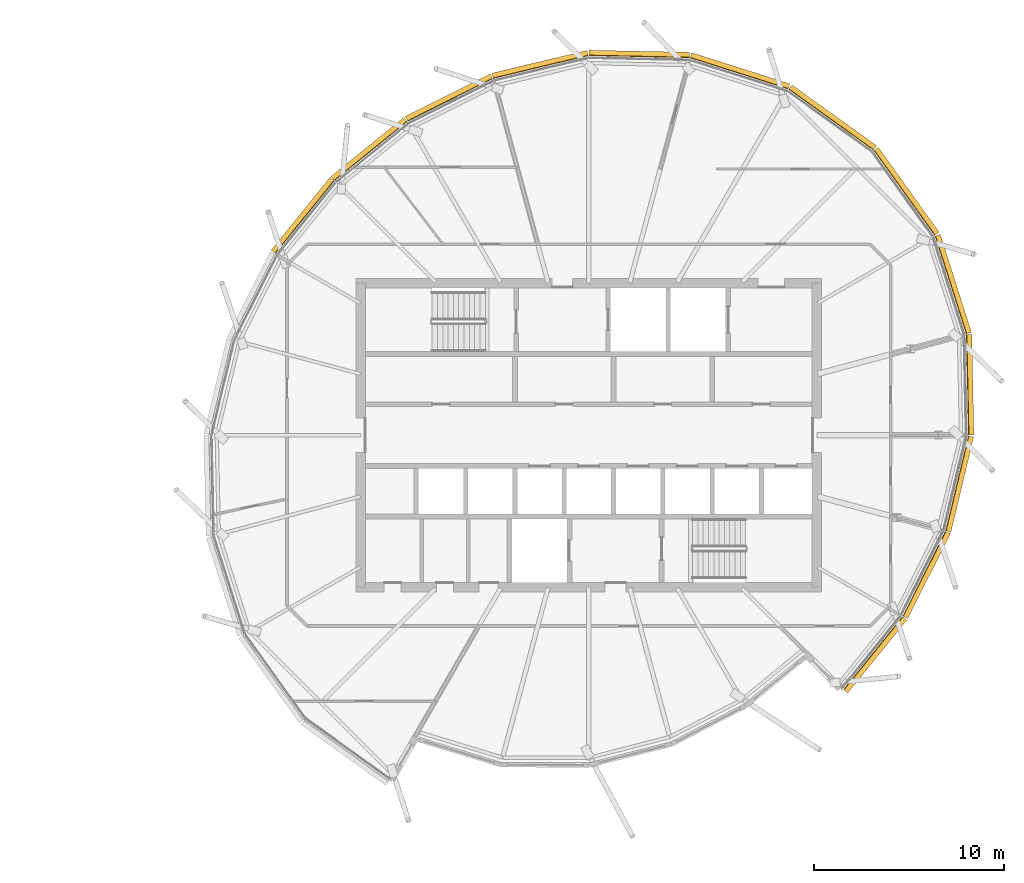
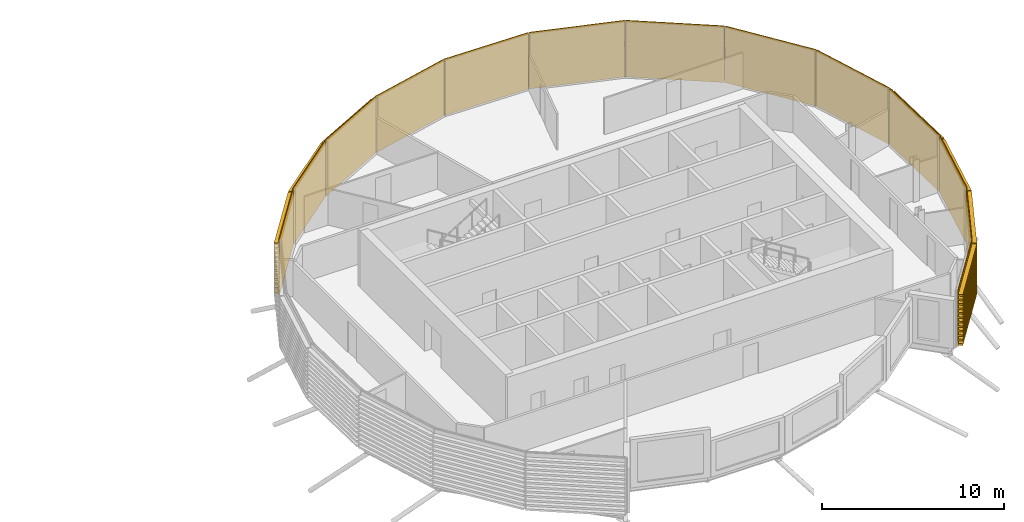
# One storey, part 38 of 38: 13 coverings.
"""IFC4 building model written with IfcOpenShell, lengths in metres."""

from ifc_helpers import new_model, si_unit, direction, frame, origin, place, context, subcontext, project, spatial, polyline, outline, extrude, material, material_profile, profile_set, type_object, element, save


model = new_model("IFC4")

# Units and contexts
model_context = context("Model", 3, precision=1e-05, world=origin(), true_north=direction((0.0, 1.0)))
body_context = subcontext(model_context, "Body", "Model", "MODEL_VIEW")
ifc_project = project(units=[si_unit("LENGTHUNIT", "METRE"), si_unit("AREAUNIT", "SQUARE_METRE"), si_unit("VOLUMEUNIT", "CUBIC_METRE"), si_unit("PLANEANGLEUNIT", "RADIAN"), si_unit("MASSUNIT", "GRAM", prefix="KILO")], contexts=[model_context])

# Site, building, storey
site_placement = place(None, origin())
site = spatial("IfcSite", under=ifc_project, at=site_placement, CompositionType="ELEMENT")
building_placement = place(site_placement, origin())
building = spatial("IfcBuilding", under=site, at=building_placement, Name="Rimbun Link Towers", CompositionType="ELEMENT")
storey_placement = place(building_placement, frame((0.0, 0.0, 218.10009765625)))
storey = spatial("IfcBuildingStorey", under=building, at=storey_placement, Name="L53", CompositionType="ELEMENT", Elevation=218.10009765625)

# Coverings
ifc_material = material(Name="Terracotta", Category="masonry")
ifc_material_profile = material_profile(ifc_material, outline(polyline([(0.123046875, 0.0), (0.1630859375, 0.0), (0.1630859375, 0.10009765625), (0.423095703125, 0.10009765625), (0.423095703125, 0.219970703125), (0.1630859375, 0.219970703125), (0.1630859375, 0.39990234375), (0.423095703125, 0.39990234375), (0.423095703125, 0.52001953125), (0.1630859375, 0.52001953125), (0.1630859375, 0.699951171875), (0.423095703125, 0.699951171875), (0.423095703125, 0.820068359375), (0.1630859375, 0.820068359375), (0.1630859375, 1.0), (0.423095703125, 1.0), (0.423095703125, 1.1201171875), (0.1630859375, 1.1201171875), (0.1630859375, 1.300048828125), (0.423095703125, 1.300048828125), (0.423095703125, 1.419921875), (0.1630859375, 1.419921875), (0.1630859375, 1.60009765625), (0.423095703125, 1.60009765625), (0.423095703125, 1.719970703125), (0.1630859375, 1.719970703125), (0.1630859375, 1.89990234375), (0.423095703125, 1.89990234375), (0.423095703125, 2.02001953125), (0.1630859375, 2.02001953125), (0.1630859375, 2.199951171875), (0.423095703125, 2.199951171875), (0.423095703125, 2.320068359375), (0.1630859375, 2.320068359375), (0.1630859375, 2.5), (0.423095703125, 2.5), (0.423095703125, 2.6201171875), (0.1630859375, 2.6201171875), (0.1630859375, 2.800048828125), (0.423095703125, 2.800048828125), (0.423095703125, 2.919921875), (0.1630859375, 2.919921875), (0.1630859375, 3.10009765625), (0.423095703125, 3.10009765625), (0.423095703125, 3.219970703125), (0.1630859375, 3.219970703125), (0.1630859375, 3.39990234375), (0.423095703125, 3.39990234375), (0.423095703125, 3.52001953125), (0.1630859375, 3.52001953125), (0.1630859375, 3.800048828125), (0.123046875, 3.800048828125), (0.123046875, 0.0)])), Name="BAGUETTE 120X300")
ifc_profile_set = profile_set([ifc_material_profile], Name="Terracotta")
covering_type = type_object("IfcCoveringType", Name="TERRACOTTA BAGUETTE 120X300 H3800", PredefinedType="CLADDING", material=ifc_profile_set)
covering_1_placement = place(storey_placement, frame((42.19140625, 18.085205078125, 0.0), z_axis=(0.812481799697, -0.582986556587, 0.0), x_axis=(0.582986556587, 0.812481799697, 0.0)))
element("IfcCovering", 1, at=covering_1_placement, inside=storey, type_object=covering_type, Name="TERRACOTTA BAGUETTE", PredefinedType="CLADDING", context=body_context, shape_type="SweptSolid", body=[
    extrude(outline(polyline([(0.123046875, 0.0), (0.1630859375, 0.0), (0.1630859375, 0.10009765625), (0.423095703125, 0.10009765625), (0.423095703125, 0.219970703125), (0.1630859375, 0.219970703125), (0.1630859375, 0.39990234375), (0.423095703125, 0.39990234375), (0.423095703125, 0.52001953125), (0.1630859375, 0.52001953125), (0.1630859375, 0.699951171875), (0.423095703125, 0.699951171875), (0.423095703125, 0.820068359375), (0.1630859375, 0.820068359375), (0.1630859375, 1.0), (0.423095703125, 1.0), (0.423095703125, 1.1201171875), (0.1630859375, 1.1201171875), (0.1630859375, 1.300048828125), (0.423095703125, 1.300048828125), (0.423095703125, 1.419921875), (0.1630859375, 1.419921875), (0.1630859375, 1.60009765625), (0.423095703125, 1.60009765625), (0.423095703125, 1.719970703125), (0.1630859375, 1.719970703125), (0.1630859375, 1.89990234375), (0.423095703125, 1.89990234375), (0.423095703125, 2.02001953125), (0.1630859375, 2.02001953125), (0.1630859375, 2.199951171875), (0.423095703125, 2.199951171875), (0.423095703125, 2.320068359375), (0.1630859375, 2.320068359375), (0.1630859375, 2.5), (0.423095703125, 2.5), (0.423095703125, 2.6201171875), (0.1630859375, 2.6201171875), (0.1630859375, 2.800048828125), (0.423095703125, 2.800048828125), (0.423095703125, 2.919921875), (0.1630859375, 2.919921875), (0.1630859375, 3.10009765625), (0.423095703125, 3.10009765625), (0.423095703125, 3.219970703125), (0.1630859375, 3.219970703125), (0.1630859375, 3.39990234375), (0.423095703125, 3.39990234375), (0.423095703125, 3.52001953125), (0.1630859375, 3.52001953125), (0.1630859375, 3.800048828125), (0.123046875, 3.800048828125), (0.123046875, 0.0)])), origin(), (0.0, 0.0, 1.0), 5.4775390625),
])
covering_2_placement = place(storey_placement, frame((37.035400390625, 19.72509765625, 0.0), z_axis=(0.95296073795, -0.303093767546, 0.0), x_axis=(0.303093767546, 0.95296073795, 0.0)))
element("IfcCovering", 2, at=covering_2_placement, inside=storey, type_object=covering_type, Name="TERRACOTTA BAGUETTE", PredefinedType="CLADDING", context=body_context, shape_type="SweptSolid", body=[
    extrude(outline(polyline([(0.123046875, 0.0), (0.1630859375, 0.0), (0.1630859375, 0.10009765625), (0.423095703125, 0.10009765625), (0.423095703125, 0.219970703125), (0.1630859375, 0.219970703125), (0.1630859375, 0.39990234375), (0.423095703125, 0.39990234375), (0.423095703125, 0.52001953125), (0.1630859375, 0.52001953125), (0.1630859375, 0.699951171875), (0.423095703125, 0.699951171875), (0.423095703125, 0.820068359375), (0.1630859375, 0.820068359375), (0.1630859375, 1.0), (0.423095703125, 1.0), (0.423095703125, 1.1201171875), (0.1630859375, 1.1201171875), (0.1630859375, 1.300048828125), (0.423095703125, 1.300048828125), (0.423095703125, 1.419921875), (0.1630859375, 1.419921875), (0.1630859375, 1.60009765625), (0.423095703125, 1.60009765625), (0.423095703125, 1.719970703125), (0.1630859375, 1.719970703125), (0.1630859375, 1.89990234375), (0.423095703125, 1.89990234375), (0.423095703125, 2.02001953125), (0.1630859375, 2.02001953125), (0.1630859375, 2.199951171875), (0.423095703125, 2.199951171875), (0.423095703125, 2.320068359375), (0.1630859375, 2.320068359375), (0.1630859375, 2.5), (0.423095703125, 2.5), (0.423095703125, 2.6201171875), (0.1630859375, 2.6201171875), (0.1630859375, 2.800048828125), (0.423095703125, 2.800048828125), (0.423095703125, 2.919921875), (0.1630859375, 2.919921875), (0.1630859375, 3.10009765625), (0.423095703125, 3.10009765625), (0.423095703125, 3.219970703125), (0.1630859375, 3.219970703125), (0.1630859375, 3.39990234375), (0.423095703125, 3.39990234375), (0.423095703125, 3.52001953125), (0.1630859375, 3.52001953125), (0.1630859375, 3.800048828125), (0.123046875, 3.800048828125), (0.123046875, 0.0)])), origin(), (0.0, 0.0, 1.0), 5.410400390625),
])
covering_3_placement = place(storey_placement, frame((31.75, 19.836181640625, 0.0), z_axis=(0.999779213117, -0.021012496742, 0.0), x_axis=(0.021012496742, 0.999779213117, 0.0)))
element("IfcCovering", 3, at=covering_3_placement, inside=storey, type_object=covering_type, Name="TERRACOTTA BAGUETTE", PredefinedType="CLADDING", context=body_context, shape_type="SweptSolid", body=[
    extrude(outline(polyline([(0.123046875, 0.0), (0.1630859375, 0.0), (0.1630859375, 0.10009765625), (0.423095703125, 0.10009765625), (0.423095703125, 0.219970703125), (0.1630859375, 0.219970703125), (0.1630859375, 0.39990234375), (0.423095703125, 0.39990234375), (0.423095703125, 0.52001953125), (0.1630859375, 0.52001953125), (0.1630859375, 0.699951171875), (0.423095703125, 0.699951171875), (0.423095703125, 0.820068359375), (0.1630859375, 0.820068359375), (0.1630859375, 1.0), (0.423095703125, 1.0), (0.423095703125, 1.1201171875), (0.1630859375, 1.1201171875), (0.1630859375, 1.300048828125), (0.423095703125, 1.300048828125), (0.423095703125, 1.419921875), (0.1630859375, 1.419921875), (0.1630859375, 1.60009765625), (0.423095703125, 1.60009765625), (0.423095703125, 1.719970703125), (0.1630859375, 1.719970703125), (0.1630859375, 1.89990234375), (0.423095703125, 1.89990234375), (0.423095703125, 2.02001953125), (0.1630859375, 2.02001953125), (0.1630859375, 2.199951171875), (0.423095703125, 2.199951171875), (0.423095703125, 2.320068359375), (0.1630859375, 2.320068359375), (0.1630859375, 2.5), (0.423095703125, 2.5), (0.423095703125, 2.6201171875), (0.1630859375, 2.6201171875), (0.1630859375, 2.800048828125), (0.423095703125, 2.800048828125), (0.423095703125, 2.919921875), (0.1630859375, 2.919921875), (0.1630859375, 3.10009765625), (0.423095703125, 3.10009765625), (0.423095703125, 3.219970703125), (0.1630859375, 3.219970703125), (0.1630859375, 3.39990234375), (0.423095703125, 3.39990234375), (0.423095703125, 3.52001953125), (0.1630859375, 3.52001953125), (0.1630859375, 3.800048828125), (0.123046875, 3.800048828125), (0.123046875, 0.0)])), origin(), (0.0, 0.0, 1.0), 5.28662109375),
])
covering_4_placement = place(storey_placement, frame((26.7548828125, 18.6416015625, 0.0), z_axis=(0.972574684069, 0.232590807876, 0.0), x_axis=(-0.232590807876, 0.972574684069, 0.0)))
element("IfcCovering", 4, at=covering_4_placement, inside=storey, type_object=covering_type, Name="TERRACOTTA BAGUETTE", PredefinedType="CLADDING", context=body_context, shape_type="SweptSolid", body=[
    extrude(outline(polyline([(0.123046875, 0.0), (0.1630859375, 0.0), (0.1630859375, 0.10009765625), (0.423095703125, 0.10009765625), (0.423095703125, 0.219970703125), (0.1630859375, 0.219970703125), (0.1630859375, 0.39990234375), (0.423095703125, 0.39990234375), (0.423095703125, 0.52001953125), (0.1630859375, 0.52001953125), (0.1630859375, 0.699951171875), (0.423095703125, 0.699951171875), (0.423095703125, 0.820068359375), (0.1630859375, 0.820068359375), (0.1630859375, 1.0), (0.423095703125, 1.0), (0.423095703125, 1.1201171875), (0.1630859375, 1.1201171875), (0.1630859375, 1.300048828125), (0.423095703125, 1.300048828125), (0.423095703125, 1.419921875), (0.1630859375, 1.419921875), (0.1630859375, 1.60009765625), (0.423095703125, 1.60009765625), (0.423095703125, 1.719970703125), (0.1630859375, 1.719970703125), (0.1630859375, 1.89990234375), (0.423095703125, 1.89990234375), (0.423095703125, 2.02001953125), (0.1630859375, 2.02001953125), (0.1630859375, 2.199951171875), (0.423095703125, 2.199951171875), (0.423095703125, 2.320068359375), (0.1630859375, 2.320068359375), (0.1630859375, 2.5), (0.423095703125, 2.5), (0.423095703125, 2.6201171875), (0.1630859375, 2.6201171875), (0.1630859375, 2.800048828125), (0.423095703125, 2.800048828125), (0.423095703125, 2.919921875), (0.1630859375, 2.919921875), (0.1630859375, 3.10009765625), (0.423095703125, 3.10009765625), (0.423095703125, 3.219970703125), (0.1630859375, 3.219970703125), (0.1630859375, 3.39990234375), (0.423095703125, 3.39990234375), (0.423095703125, 3.52001953125), (0.1630859375, 3.52001953125), (0.1630859375, 3.800048828125), (0.123046875, 3.800048828125), (0.123046875, 0.0)])), origin(), (0.0, 0.0, 1.0), 5.135986328125),
])
covering_5_placement = place(storey_placement, frame((22.28369140625, 16.396240234375, 0.0), z_axis=(0.893645096257, 0.44877437754, 0.0), x_axis=(-0.44877437754, 0.893645096257, 0.0)))
element("IfcCovering", 5, at=covering_5_placement, inside=storey, type_object=covering_type, Name="TERRACOTTA BAGUETTE", PredefinedType="CLADDING", context=body_context, shape_type="SweptSolid", body=[
    extrude(outline(polyline([(0.123046875, 0.0), (0.1630859375, 0.0), (0.1630859375, 0.10009765625), (0.423095703125, 0.10009765625), (0.423095703125, 0.219970703125), (0.1630859375, 0.219970703125), (0.1630859375, 0.39990234375), (0.423095703125, 0.39990234375), (0.423095703125, 0.52001953125), (0.1630859375, 0.52001953125), (0.1630859375, 0.699951171875), (0.423095703125, 0.699951171875), (0.423095703125, 0.820068359375), (0.1630859375, 0.820068359375), (0.1630859375, 1.0), (0.423095703125, 1.0), (0.423095703125, 1.1201171875), (0.1630859375, 1.1201171875), (0.1630859375, 1.300048828125), (0.423095703125, 1.300048828125), (0.423095703125, 1.419921875), (0.1630859375, 1.419921875), (0.1630859375, 1.60009765625), (0.423095703125, 1.60009765625), (0.423095703125, 1.719970703125), (0.1630859375, 1.719970703125), (0.1630859375, 1.89990234375), (0.423095703125, 1.89990234375), (0.423095703125, 2.02001953125), (0.1630859375, 2.02001953125), (0.1630859375, 2.199951171875), (0.423095703125, 2.199951171875), (0.423095703125, 2.320068359375), (0.1630859375, 2.320068359375), (0.1630859375, 2.5), (0.423095703125, 2.5), (0.423095703125, 2.6201171875), (0.1630859375, 2.6201171875), (0.1630859375, 2.800048828125), (0.423095703125, 2.800048828125), (0.423095703125, 2.919921875), (0.1630859375, 2.919921875), (0.1630859375, 3.10009765625), (0.423095703125, 3.10009765625), (0.423095703125, 3.219970703125), (0.1630859375, 3.219970703125), (0.1630859375, 3.39990234375), (0.423095703125, 3.39990234375), (0.423095703125, 3.52001953125), (0.1630859375, 3.52001953125), (0.1630859375, 3.800048828125), (0.123046875, 3.800048828125), (0.123046875, 0.0)])), origin(), (0.0, 0.0, 1.0), 5.00341796875),
])
for number, where, z_axis, x_axis, name in (
    (6, (18.453857421875, 13.296142578125, 0.0), (0.777269101439, 0.629168295409, 0.0), (-0.629168295409, 0.777269101439, 0.0), "TERRACOTTA BAGUETTE"),
    (7, (15.353759765625, 9.46630859375, 0.0), (0.629168295409, 0.777269101439, 0.0), (-0.777269101439, 0.629168295409, 0.0), "TERRACOTTA BAGUETTE"),
    (8, (48.146240234375, -9.46630859375, 0.0), (-0.629168295409, -0.777269101439, 0.0), (0.777269101439, -0.629168295409, 0.0), "TERRACOTTA BAGUETTE"),
):
    element("IfcCovering", number, at=place(storey_placement, frame(where, z_axis=z_axis, x_axis=x_axis)), inside=storey, type_object=covering_type, Name=name, PredefinedType="CLADDING", context=body_context, shape_type="SweptSolid", body=[
        extrude(outline(polyline([(0.123046875, 0.0), (0.1630859375, 0.0), (0.1630859375, 0.10009765625), (0.423095703125, 0.10009765625), (0.423095703125, 0.219970703125), (0.1630859375, 0.219970703125), (0.1630859375, 0.39990234375), (0.423095703125, 0.39990234375), (0.423095703125, 0.52001953125), (0.1630859375, 0.52001953125), (0.1630859375, 0.699951171875), (0.423095703125, 0.699951171875), (0.423095703125, 0.820068359375), (0.1630859375, 0.820068359375), (0.1630859375, 1.0), (0.423095703125, 1.0), (0.423095703125, 1.1201171875), (0.1630859375, 1.1201171875), (0.1630859375, 1.300048828125), (0.423095703125, 1.300048828125), (0.423095703125, 1.419921875), (0.1630859375, 1.419921875), (0.1630859375, 1.60009765625), (0.423095703125, 1.60009765625), (0.423095703125, 1.719970703125), (0.1630859375, 1.719970703125), (0.1630859375, 1.89990234375), (0.423095703125, 1.89990234375), (0.423095703125, 2.02001953125), (0.1630859375, 2.02001953125), (0.1630859375, 2.199951171875), (0.423095703125, 2.199951171875), (0.423095703125, 2.320068359375), (0.1630859375, 2.320068359375), (0.1630859375, 2.5), (0.423095703125, 2.5), (0.423095703125, 2.6201171875), (0.1630859375, 2.6201171875), (0.1630859375, 2.800048828125), (0.423095703125, 2.800048828125), (0.423095703125, 2.919921875), (0.1630859375, 2.919921875), (0.1630859375, 3.10009765625), (0.423095703125, 3.10009765625), (0.423095703125, 3.219970703125), (0.1630859375, 3.219970703125), (0.1630859375, 3.39990234375), (0.423095703125, 3.39990234375), (0.423095703125, 3.52001953125), (0.1630859375, 3.52001953125), (0.1630859375, 3.800048828125), (0.123046875, 3.800048828125), (0.123046875, 0.0)])), origin(), (0.0, 0.0, 1.0), 4.92724609375),
    ])
covering_6_placement = place(storey_placement, frame((50.3916015625, -4.9951171875, 0.0), z_axis=(-0.44877437754, -0.893645096257, 0.0), x_axis=(0.893645096257, -0.44877437754, 0.0)))
element("IfcCovering", 9, at=covering_6_placement, inside=storey, type_object=covering_type, Name="TERRACOTTA BAGUETTE", PredefinedType="CLADDING", context=body_context, shape_type="SweptSolid", body=[
    extrude(outline(polyline([(0.123046875, 0.0), (0.1630859375, 0.0), (0.1630859375, 0.10009765625), (0.423095703125, 0.10009765625), (0.423095703125, 0.219970703125), (0.1630859375, 0.219970703125), (0.1630859375, 0.39990234375), (0.423095703125, 0.39990234375), (0.423095703125, 0.52001953125), (0.1630859375, 0.52001953125), (0.1630859375, 0.699951171875), (0.423095703125, 0.699951171875), (0.423095703125, 0.820068359375), (0.1630859375, 0.820068359375), (0.1630859375, 1.0), (0.423095703125, 1.0), (0.423095703125, 1.1201171875), (0.1630859375, 1.1201171875), (0.1630859375, 1.300048828125), (0.423095703125, 1.300048828125), (0.423095703125, 1.419921875), (0.1630859375, 1.419921875), (0.1630859375, 1.60009765625), (0.423095703125, 1.60009765625), (0.423095703125, 1.719970703125), (0.1630859375, 1.719970703125), (0.1630859375, 1.89990234375), (0.423095703125, 1.89990234375), (0.423095703125, 2.02001953125), (0.1630859375, 2.02001953125), (0.1630859375, 2.199951171875), (0.423095703125, 2.199951171875), (0.423095703125, 2.320068359375), (0.1630859375, 2.320068359375), (0.1630859375, 2.5), (0.423095703125, 2.5), (0.423095703125, 2.6201171875), (0.1630859375, 2.6201171875), (0.1630859375, 2.800048828125), (0.423095703125, 2.800048828125), (0.423095703125, 2.919921875), (0.1630859375, 2.919921875), (0.1630859375, 3.10009765625), (0.423095703125, 3.10009765625), (0.423095703125, 3.219970703125), (0.1630859375, 3.219970703125), (0.1630859375, 3.39990234375), (0.423095703125, 3.39990234375), (0.423095703125, 3.52001953125), (0.1630859375, 3.52001953125), (0.1630859375, 3.800048828125), (0.123046875, 3.800048828125), (0.123046875, 0.0)])), origin(), (0.0, 0.0, 1.0), 5.00341796875),
])
covering_7_placement = place(storey_placement, frame((51.586181640625, 0.0, 0.0), z_axis=(-0.232590807876, -0.972574684069, 0.0), x_axis=(0.972574684069, -0.232590807876, 0.0)))
element("IfcCovering", 10, at=covering_7_placement, inside=storey, type_object=covering_type, Name="TERRACOTTA BAGUETTE", PredefinedType="CLADDING", context=body_context, shape_type="SweptSolid", body=[
    extrude(outline(polyline([(0.123046875, 0.0), (0.1630859375, 0.0), (0.1630859375, 0.10009765625), (0.423095703125, 0.10009765625), (0.423095703125, 0.219970703125), (0.1630859375, 0.219970703125), (0.1630859375, 0.39990234375), (0.423095703125, 0.39990234375), (0.423095703125, 0.52001953125), (0.1630859375, 0.52001953125), (0.1630859375, 0.699951171875), (0.423095703125, 0.699951171875), (0.423095703125, 0.820068359375), (0.1630859375, 0.820068359375), (0.1630859375, 1.0), (0.423095703125, 1.0), (0.423095703125, 1.1201171875), (0.1630859375, 1.1201171875), (0.1630859375, 1.300048828125), (0.423095703125, 1.300048828125), (0.423095703125, 1.419921875), (0.1630859375, 1.419921875), (0.1630859375, 1.60009765625), (0.423095703125, 1.60009765625), (0.423095703125, 1.719970703125), (0.1630859375, 1.719970703125), (0.1630859375, 1.89990234375), (0.423095703125, 1.89990234375), (0.423095703125, 2.02001953125), (0.1630859375, 2.02001953125), (0.1630859375, 2.199951171875), (0.423095703125, 2.199951171875), (0.423095703125, 2.320068359375), (0.1630859375, 2.320068359375), (0.1630859375, 2.5), (0.423095703125, 2.5), (0.423095703125, 2.6201171875), (0.1630859375, 2.6201171875), (0.1630859375, 2.800048828125), (0.423095703125, 2.800048828125), (0.423095703125, 2.919921875), (0.1630859375, 2.919921875), (0.1630859375, 3.10009765625), (0.423095703125, 3.10009765625), (0.423095703125, 3.219970703125), (0.1630859375, 3.219970703125), (0.1630859375, 3.39990234375), (0.423095703125, 3.39990234375), (0.423095703125, 3.52001953125), (0.1630859375, 3.52001953125), (0.1630859375, 3.800048828125), (0.123046875, 3.800048828125), (0.123046875, 0.0)])), origin(), (0.0, 0.0, 1.0), 5.135986328125),
])
covering_8_placement = place(storey_placement, frame((51.47509765625, 5.285400390625, 0.0), z_axis=(0.021012496742, -0.999779213117, 0.0), x_axis=(0.999779213117, 0.021012496742, 0.0)))
element("IfcCovering", 11, at=covering_8_placement, inside=storey, type_object=covering_type, Name="TERRACOTTA BAGUETTE", PredefinedType="CLADDING", context=body_context, shape_type="SweptSolid", body=[
    extrude(outline(polyline([(0.123046875, 0.0), (0.1630859375, 0.0), (0.1630859375, 0.10009765625), (0.423095703125, 0.10009765625), (0.423095703125, 0.219970703125), (0.1630859375, 0.219970703125), (0.1630859375, 0.39990234375), (0.423095703125, 0.39990234375), (0.423095703125, 0.52001953125), (0.1630859375, 0.52001953125), (0.1630859375, 0.699951171875), (0.423095703125, 0.699951171875), (0.423095703125, 0.820068359375), (0.1630859375, 0.820068359375), (0.1630859375, 1.0), (0.423095703125, 1.0), (0.423095703125, 1.1201171875), (0.1630859375, 1.1201171875), (0.1630859375, 1.300048828125), (0.423095703125, 1.300048828125), (0.423095703125, 1.419921875), (0.1630859375, 1.419921875), (0.1630859375, 1.60009765625), (0.423095703125, 1.60009765625), (0.423095703125, 1.719970703125), (0.1630859375, 1.719970703125), (0.1630859375, 1.89990234375), (0.423095703125, 1.89990234375), (0.423095703125, 2.02001953125), (0.1630859375, 2.02001953125), (0.1630859375, 2.199951171875), (0.423095703125, 2.199951171875), (0.423095703125, 2.320068359375), (0.1630859375, 2.320068359375), (0.1630859375, 2.5), (0.423095703125, 2.5), (0.423095703125, 2.6201171875), (0.1630859375, 2.6201171875), (0.1630859375, 2.800048828125), (0.423095703125, 2.800048828125), (0.423095703125, 2.919921875), (0.1630859375, 2.919921875), (0.1630859375, 3.10009765625), (0.423095703125, 3.10009765625), (0.423095703125, 3.219970703125), (0.1630859375, 3.219970703125), (0.1630859375, 3.39990234375), (0.423095703125, 3.39990234375), (0.423095703125, 3.52001953125), (0.1630859375, 3.52001953125), (0.1630859375, 3.800048828125), (0.123046875, 3.800048828125), (0.123046875, 0.0)])), origin(), (0.0, 0.0, 1.0), 5.28662109375),
])
covering_9_placement = place(storey_placement, frame((49.835205078125, 10.44140625, 0.0), z_axis=(0.303093767546, -0.95296073795, 0.0), x_axis=(0.95296073795, 0.303093767546, 0.0)))
element("IfcCovering", 12, at=covering_9_placement, inside=storey, type_object=covering_type, Name="TERRACOTTA BAGUETTE", PredefinedType="CLADDING", context=body_context, shape_type="SweptSolid", body=[
    extrude(outline(polyline([(0.123046875, 0.0), (0.1630859375, 0.0), (0.1630859375, 0.10009765625), (0.423095703125, 0.10009765625), (0.423095703125, 0.219970703125), (0.1630859375, 0.219970703125), (0.1630859375, 0.39990234375), (0.423095703125, 0.39990234375), (0.423095703125, 0.52001953125), (0.1630859375, 0.52001953125), (0.1630859375, 0.699951171875), (0.423095703125, 0.699951171875), (0.423095703125, 0.820068359375), (0.1630859375, 0.820068359375), (0.1630859375, 1.0), (0.423095703125, 1.0), (0.423095703125, 1.1201171875), (0.1630859375, 1.1201171875), (0.1630859375, 1.300048828125), (0.423095703125, 1.300048828125), (0.423095703125, 1.419921875), (0.1630859375, 1.419921875), (0.1630859375, 1.60009765625), (0.423095703125, 1.60009765625), (0.423095703125, 1.719970703125), (0.1630859375, 1.719970703125), (0.1630859375, 1.89990234375), (0.423095703125, 1.89990234375), (0.423095703125, 2.02001953125), (0.1630859375, 2.02001953125), (0.1630859375, 2.199951171875), (0.423095703125, 2.199951171875), (0.423095703125, 2.320068359375), (0.1630859375, 2.320068359375), (0.1630859375, 2.5), (0.423095703125, 2.5), (0.423095703125, 2.6201171875), (0.1630859375, 2.6201171875), (0.1630859375, 2.800048828125), (0.423095703125, 2.800048828125), (0.423095703125, 2.919921875), (0.1630859375, 2.919921875), (0.1630859375, 3.10009765625), (0.423095703125, 3.10009765625), (0.423095703125, 3.219970703125), (0.1630859375, 3.219970703125), (0.1630859375, 3.39990234375), (0.423095703125, 3.39990234375), (0.423095703125, 3.52001953125), (0.1630859375, 3.52001953125), (0.1630859375, 3.800048828125), (0.123046875, 3.800048828125), (0.123046875, 0.0)])), origin(), (0.0, 0.0, 1.0), 5.410400390625),
])
covering_10_placement = place(storey_placement, frame((46.641845703125, 14.891845703125, 0.0), z_axis=(0.582986556587, -0.812481799697, 0.0), x_axis=(0.812481799697, 0.582986556587, 0.0)))
element("IfcCovering", 13, at=covering_10_placement, inside=storey, type_object=covering_type, Name="TERRACOTTA BAGUETTE", PredefinedType="CLADDING", context=body_context, shape_type="SweptSolid", body=[
    extrude(outline(polyline([(0.123046875, 0.0), (0.1630859375, 0.0), (0.1630859375, 0.10009765625), (0.423095703125, 0.10009765625), (0.423095703125, 0.219970703125), (0.1630859375, 0.219970703125), (0.1630859375, 0.39990234375), (0.423095703125, 0.39990234375), (0.423095703125, 0.52001953125), (0.1630859375, 0.52001953125), (0.1630859375, 0.699951171875), (0.423095703125, 0.699951171875), (0.423095703125, 0.820068359375), (0.1630859375, 0.820068359375), (0.1630859375, 1.0), (0.423095703125, 1.0), (0.423095703125, 1.1201171875), (0.1630859375, 1.1201171875), (0.1630859375, 1.300048828125), (0.423095703125, 1.300048828125), (0.423095703125, 1.419921875), (0.1630859375, 1.419921875), (0.1630859375, 1.60009765625), (0.423095703125, 1.60009765625), (0.423095703125, 1.719970703125), (0.1630859375, 1.719970703125), (0.1630859375, 1.89990234375), (0.423095703125, 1.89990234375), (0.423095703125, 2.02001953125), (0.1630859375, 2.02001953125), (0.1630859375, 2.199951171875), (0.423095703125, 2.199951171875), (0.423095703125, 2.320068359375), (0.1630859375, 2.320068359375), (0.1630859375, 2.5), (0.423095703125, 2.5), (0.423095703125, 2.6201171875), (0.1630859375, 2.6201171875), (0.1630859375, 2.800048828125), (0.423095703125, 2.800048828125), (0.423095703125, 2.919921875), (0.1630859375, 2.919921875), (0.1630859375, 3.10009765625), (0.423095703125, 3.10009765625), (0.423095703125, 3.219970703125), (0.1630859375, 3.219970703125), (0.1630859375, 3.39990234375), (0.423095703125, 3.39990234375), (0.423095703125, 3.52001953125), (0.1630859375, 3.52001953125), (0.1630859375, 3.800048828125), (0.123046875, 3.800048828125), (0.123046875, 0.0)])), origin(), (0.0, 0.0, 1.0), 5.4775390625),
])

save(model, "model.ifc")
